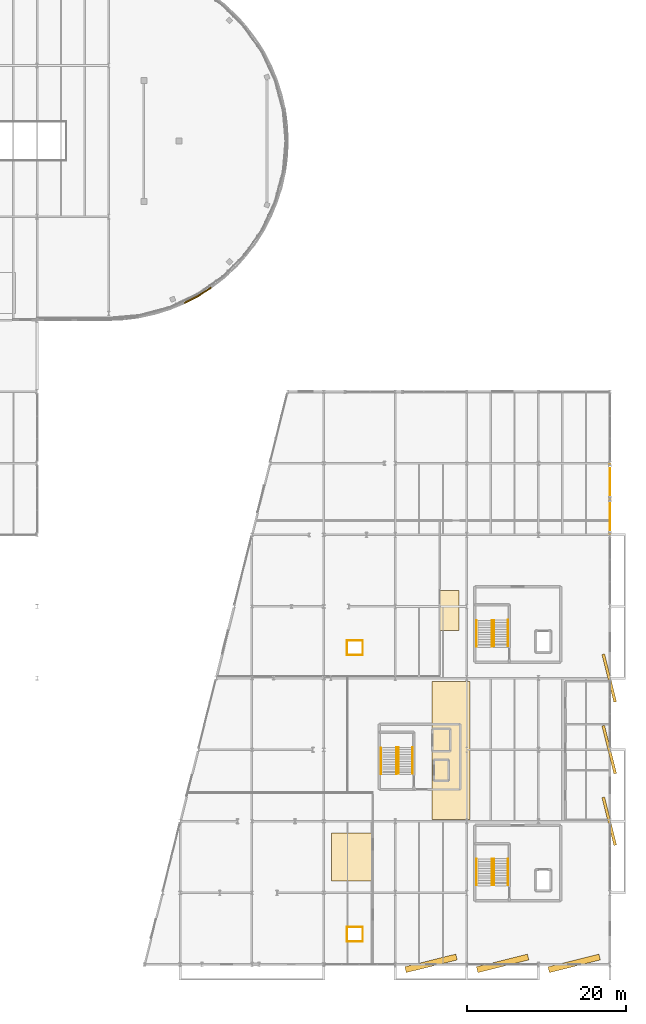
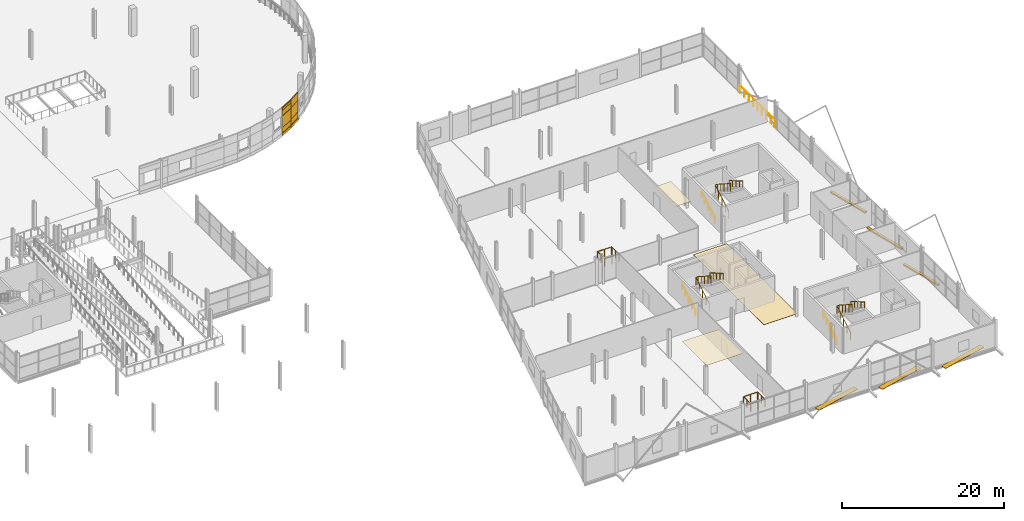
# One storey, part 100 of 103: 14 railings, 12 coverings, 6 shading devices.
"""IFC4 building model written with IfcOpenShell, lengths in metres."""

from ifc_helpers import new_model, si_unit, direction, frame, origin, origin_2d, place, context, subcontext, project, spatial, polyline, rectangle, circle, outline, extrude, material, layer, layer_set, type_object, element, save


model = new_model("IFC4")

# Units and contexts
model_context = context("Model", 3, precision=1e-05, world=origin(), true_north=direction((0.0, 1.0)))
body_context = subcontext(model_context, "Body", "Model", "MODEL_VIEW")
ifc_project = project(units=[si_unit("LENGTHUNIT", "METRE"), si_unit("AREAUNIT", "SQUARE_METRE"), si_unit("VOLUMEUNIT", "CUBIC_METRE"), si_unit("PLANEANGLEUNIT", "RADIAN"), si_unit("MASSUNIT", "GRAM", prefix="KILO")], contexts=[model_context])

# Site, building, storey
site_placement = place(None, origin())
site = spatial("IfcSite", under=ifc_project, at=site_placement, CompositionType="ELEMENT")
building_placement = place(site_placement, origin())
building = spatial("IfcBuilding", under=site, at=building_placement, Name="Deido Ridge Mobility Hub", CompositionType="ELEMENT")
storey_placement = place(building_placement, frame((0.0, 0.0, 12.60009765625)))
storey = spatial("IfcBuildingStorey", under=building, at=storey_placement, Name="L03", CompositionType="ELEMENT", Elevation=12.60009765625)

# Coverings
ifc_material_1 = material(Name="Fired clay brick masonry", Category="masonry")
ifc_layer_1 = layer(ifc_material_1, 0.114990234375, Name="Fired clay brick masonry")
ifc_layer_set_1 = layer_set([ifc_layer_1], Name="Fired clay brick masonry")
covering_type_1 = type_object("IfcCoveringType", Name="COV-BRK-SCREEN-115", PredefinedType="CLADDING", material=ifc_layer_set_1)
covering_1_placement = place(storey_placement, frame((127.355224609375, 83.607666015625, 0.0), z_axis=(0.0, 0.0, 1.0), x_axis=(0.887018892077, 0.461733131905, 0.0)))
element("IfcCovering", 1, at=covering_1_placement, inside=storey, type_object=covering_type_1, Name="Open brickwork spandrel course BKS1 (L03)", PredefinedType="CLADDING", context=body_context, shape_type="SweptSolid", body=[
    extrude(rectangle(XDim=1.9619140625, YDim=0.125, at=origin_2d()), origin(), (0.0, 0.0, 1.0), 1.25),
])
covering_2_placement = place(storey_placement, frame((127.367919921875, 83.583251953125, 0.0), z_axis=(0.0, 0.0, 1.0), x_axis=(0.887018892077, 0.461733131905, 0.0)))
element("IfcCovering", 2, at=covering_2_placement, inside=storey, type_object=covering_type_1, Name="Raised brick relief belt BKS1 (L03)", PredefinedType="CLADDING", context=body_context, shape_type="SweptSolid", body=[
    extrude(rectangle(XDim=1.9619140625, YDim=0.179931640625, at=origin_2d()), origin(), (0.0, 0.0, 1.0), 0.39990234375),
])
covering_3_placement = place(storey_placement, frame((127.355224609375, 83.607666015625, 3.0), z_axis=(0.0, 0.0, 1.0), x_axis=(0.887018892077, 0.461733131905, 0.0)))
element("IfcCovering", 3, at=covering_3_placement, inside=storey, type_object=covering_type_1, Name="Open brickwork lintel course BKS1 (L03)", PredefinedType="CLADDING", context=body_context, shape_type="SweptSolid", body=[
    extrude(rectangle(XDim=1.9619140625, YDim=0.125, at=origin_2d()), origin(), (0.0, 0.0, 1.0), 1.199951171875),
])
covering_4_placement = place(storey_placement, frame((127.367919921875, 83.583251953125, 3.83984375), z_axis=(0.0, 0.0, 1.0), x_axis=(0.887018892077, 0.461733131905, 0.0)))
element("IfcCovering", 4, at=covering_4_placement, inside=storey, type_object=covering_type_1, Name="Raised brick relief cornice BKS1 (L03)", PredefinedType="CLADDING", context=body_context, shape_type="SweptSolid", body=[
    extrude(rectangle(XDim=1.9619140625, YDim=0.179931640625, at=origin_2d()), origin(), (0.0, 0.0, 1.0), 0.360107421875),
])
covering_5_placement = place(storey_placement, frame((127.367919921875, 83.583251953125, 1.25), z_axis=(0.0, 0.0, 1.0), x_axis=(0.887018892077, 0.461733131905, 0.0)))
element("IfcCovering", 5, at=covering_5_placement, inside=storey, type_object=covering_type_1, Name="Curved raised brickwork pier BKS1 (L03)", PredefinedType="CLADDING", context=body_context, shape_type="SweptSolid", body=[
    extrude(rectangle(XDim=1.9619140625, YDim=0.179931640625, at=origin_2d()), origin(), (0.0, 0.0, 1.0), 1.75),
])
covering_6_placement = place(storey_placement, frame((129.049560546875, 84.5859375, 0.0), z_axis=(0.0, 0.0, 1.0), x_axis=(0.843382068037, 0.537314328223, 0.0)))
element("IfcCovering", 6, at=covering_6_placement, inside=storey, type_object=covering_type_1, Name="Open brickwork spandrel course BKS1 (L03)", PredefinedType="CLADDING", context=body_context, shape_type="SweptSolid", body=[
    extrude(rectangle(XDim=1.9619140625, YDim=0.125, at=origin_2d()), origin(), (0.0, 0.0, 1.0), 1.25),
])
covering_7_placement = place(storey_placement, frame((129.064208984375, 84.562744140625, 0.0), z_axis=(0.0, 0.0, 1.0), x_axis=(0.843382068037, 0.537314328223, 0.0)))
element("IfcCovering", 7, at=covering_7_placement, inside=storey, type_object=covering_type_1, Name="Raised brick relief belt BKS1 (L03)", PredefinedType="CLADDING", context=body_context, shape_type="SweptSolid", body=[
    extrude(rectangle(XDim=1.9619140625, YDim=0.179931640625, at=origin_2d()), origin(), (0.0, 0.0, 1.0), 0.39990234375),
])
covering_8_placement = place(storey_placement, frame((129.049560546875, 84.5859375, 3.0), z_axis=(0.0, 0.0, 1.0), x_axis=(0.843382068037, 0.537314328223, 0.0)))
element("IfcCovering", 8, at=covering_8_placement, inside=storey, type_object=covering_type_1, Name="Open brickwork lintel course BKS1 (L03)", PredefinedType="CLADDING", context=body_context, shape_type="SweptSolid", body=[
    extrude(rectangle(XDim=1.9619140625, YDim=0.125, at=origin_2d()), origin(), (0.0, 0.0, 1.0), 1.199951171875),
])
covering_9_placement = place(storey_placement, frame((129.049560546875, 84.5859375, 1.25), z_axis=(0.0, 0.0, 1.0), x_axis=(0.843382068037, 0.537314328223, 0.0)))
element("IfcCovering", 9, at=covering_9_placement, inside=storey, type_object=covering_type_1, Name="Curved raised brickwork pier BKS1 (L03)", PredefinedType="CLADDING", context=body_context, shape_type="SweptSolid", body=[
    extrude(rectangle(XDim=1.9619140625, YDim=0.125, at=origin_2d()), origin(), (0.0, 0.0, 1.0), 1.75),
])
ifc_material_2 = material(Name="Powder-coated aluminium cladding EN AW-3003", Category="aluminium")
ifc_layer_2 = layer(ifc_material_2, 0.02001953125, Name="Powder-coated aluminium cladding EN AW-3003")
ifc_layer_set_2 = layer_set([ifc_layer_2], Name="Powder-coated aluminium cladding EN AW-3003")
covering_type_2 = type_object("IfcCoveringType", Name="COV-CEIL-ALU-20", PredefinedType="CEILING", material=ifc_layer_set_2)
covering_10_placement = place(storey_placement, frame((0.0, 0.0, 2.949951171875)))
element("IfcCovering", 10, at=covering_10_placement, inside=storey, type_object=covering_type_2, Name="Acoustic suspended ceiling CL1 (L03)", PredefinedType="CEILING", context=body_context, shape_type="SweptSolid", body=[
    extrude(outline(polyline([(145.0, 10.5), (150.199951171875, 10.5), (150.199951171875, 16.5), (145.0, 16.5), (145.0, 10.5)])), origin(), (0.0, 0.0, 1.0), 0.02001953125),
])
covering_11_placement = place(storey_placement, frame((0.0, 0.0, 2.949951171875)))
element("IfcCovering", 11, at=covering_11_placement, inside=storey, type_object=covering_type_2, Name="Corridor acoustic ceiling CL1 (L03)", PredefinedType="CEILING", context=body_context, shape_type="SweptSolid", body=[
    extrude(outline(polyline([(158.60009765625, 42.0), (161.0, 42.0), (161.0, 47.0), (158.60009765625, 47.0), (158.60009765625, 42.0)])), origin(), (0.0, 0.0, 1.0), 0.02001953125),
])
ifc_material_3 = material(Name="Epoxy terrazzo floor finish")
ifc_layer_3 = layer(ifc_material_3, 0.02001953125, Name="Epoxy terrazzo floor finish")
ifc_layer_set_3 = layer_set([ifc_layer_3], Name="Epoxy terrazzo floor finish")
covering_type_3 = type_object("IfcCoveringType", Name="COV-FLR-TER-20", PredefinedType="FLOORING", material=ifc_layer_set_3)
covering_12_placement = place(storey_placement, origin())
element("IfcCovering", 12, at=covering_12_placement, inside=storey, type_object=covering_type_3, Name="Epoxy terrazzo corridor flooring FC1 (L03)", PredefinedType="FLOORING", context=body_context, shape_type="SweptSolid", body=[
    extrude(outline(polyline([(157.60009765625, 18.199951171875), (162.39990234375, 18.199951171875), (162.39990234375, 35.60009765625), (157.60009765625, 35.60009765625), (157.60009765625, 18.199951171875)])), origin(), (0.0, 0.0, 1.0), 0.02001953125),
])

# Railings
ifc_material_4 = material(Name="Galvanised steel work", Category="steel")
railing_type_1 = type_object("IfcRailingType", Name="RL-GRD-EXT-1150", PredefinedType="GUARDRAIL", material=ifc_material_4)
railing_1_placement = place(storey_placement, frame((180.0, 54.14990234375, 0.0)))
element("IfcRailing", 13, at=railing_1_placement, inside=storey, type_object=railing_type_1, Name="Braced bay perimeter guard (L03)", PredefinedType="GUARDRAIL", context=body_context, shape_type="SweptSolid", body=[
    extrude(circle(Radius=0.02392578125, at=origin_2d()), frame((0.0, 0.0, 1.1259765625), z_axis=(0.0, 1.0, 0.0), x_axis=(-1.0, 0.0, 0.0)), (0.0, 0.0, 1.0), 8.7001953125),
    extrude(circle(Radius=0.02099609375, at=origin_2d()), origin(), (0.0, 0.0, 1.0), 1.101806640625),
    extrude(circle(Radius=0.02099609375, at=origin_2d()), frame((0.0, 1.08740234375, 0.0)), (0.0, 0.0, 1.0), 1.101806640625),
    extrude(circle(Radius=0.02099609375, at=origin_2d()), frame((0.0, 2.175048828125, 0.0)), (0.0, 0.0, 1.0), 1.101806640625),
    extrude(circle(Radius=0.02099609375, at=origin_2d()), frame((0.0, 3.2626953125, 0.0)), (0.0, 0.0, 1.0), 1.101806640625),
    extrude(circle(Radius=0.02099609375, at=origin_2d()), frame((0.0, 4.35009765625, 0.0)), (0.0, 0.0, 1.0), 1.101806640625),
    extrude(circle(Radius=0.02099609375, at=origin_2d()), frame((0.0, 5.4375, 0.0)), (0.0, 0.0, 1.0), 1.101806640625),
    extrude(circle(Radius=0.02099609375, at=origin_2d()), frame((0.0, 6.525146484375, 0.0)), (0.0, 0.0, 1.0), 1.101806640625),
    extrude(circle(Radius=0.02099609375, at=origin_2d()), frame((0.0, 7.61279296875, 0.0)), (0.0, 0.0, 1.0), 1.101806640625),
    extrude(circle(Radius=0.02099609375, at=origin_2d()), frame((0.0, 8.7001953125, 0.0)), (0.0, 0.0, 1.0), 1.101806640625),
])
railing_2_placement = place(storey_placement, frame((146.925048828125, 2.89990234375, 0.0)))
element("IfcRailing", 14, at=railing_2_placement, inside=storey, type_object=railing_type_1, Name="Service riser shaft guard (L03) A", PredefinedType="GUARDRAIL", context=body_context, shape_type="SweptSolid", body=[
    extrude(circle(Radius=0.02392578125, at=origin_2d()), frame((0.0, 0.0, 1.1259765625), z_axis=(1.0, 0.0, 0.0), x_axis=(0.0, 1.0, 0.0)), (0.0, 0.0, 1.0), 2.0),
    extrude(circle(Radius=0.02392578125, at=origin_2d()), frame((2.0, 0.0, 1.1259765625), z_axis=(0.0, 1.0, 0.0), x_axis=(-1.0, 0.0, 0.0)), (0.0, 0.0, 1.0), 1.739990234375),
    extrude(circle(Radius=0.02099609375, at=origin_2d()), origin(), (0.0, 0.0, 1.0), 1.101806640625),
    extrude(circle(Radius=0.02099609375, at=origin_2d()), frame((1.0, 0.0, 0.0)), (0.0, 0.0, 1.0), 1.101806640625),
    extrude(circle(Radius=0.02099609375, at=origin_2d()), frame((2.0, 0.0, 0.0)), (0.0, 0.0, 1.0), 1.101806640625),
    extrude(circle(Radius=0.02099609375, at=origin_2d()), frame((2.0, 0.8701171875, 0.0)), (0.0, 0.0, 1.0), 1.101806640625),
    extrude(circle(Radius=0.02099609375, at=origin_2d()), frame((2.0, 1.739990234375, 0.0)), (0.0, 0.0, 1.0), 1.101806640625),
])
railing_3_placement = place(storey_placement, frame((148.925048828125, 4.699951171875, 0.0)))
element("IfcRailing", 15, at=railing_3_placement, inside=storey, type_object=railing_type_1, Name="Service riser shaft guard (L03) B", PredefinedType="GUARDRAIL", context=body_context, shape_type="SweptSolid", body=[
    extrude(circle(Radius=0.02392578125, at=origin_2d()), frame((0.0, 0.0, 1.1259765625), z_axis=(-1.0, 0.0, 0.0), x_axis=(0.0, -1.0, 0.0)), (0.0, 0.0, 1.0), 2.0),
    extrude(circle(Radius=0.02392578125, at=origin_2d()), frame((-2.0, 0.0, 1.1259765625), z_axis=(0.0, -1.0, 0.0), x_axis=(1.0, 0.0, 0.0)), (0.0, 0.0, 1.0), 1.739990234375),
    extrude(circle(Radius=0.02099609375, at=origin_2d()), origin(), (0.0, 0.0, 1.0), 1.101806640625),
    extrude(circle(Radius=0.02099609375, at=origin_2d()), frame((-1.0, 0.0, 0.0)), (0.0, 0.0, 1.0), 1.101806640625),
    extrude(circle(Radius=0.02099609375, at=origin_2d()), frame((-2.0, 0.0, 0.0)), (0.0, 0.0, 1.0), 1.101806640625),
    extrude(circle(Radius=0.02099609375, at=origin_2d()), frame((-2.0, -0.8701171875, 0.0)), (0.0, 0.0, 1.0), 1.101806640625),
    extrude(circle(Radius=0.02099609375, at=origin_2d()), frame((-2.0, -1.739990234375, 0.0)), (0.0, 0.0, 1.0), 1.101806640625),
])
railing_4_placement = place(storey_placement, frame((146.925048828125, 38.89990234375, 0.0)))
element("IfcRailing", 16, at=railing_4_placement, inside=storey, type_object=railing_type_1, Name="Service riser shaft guard (L03) A", PredefinedType="GUARDRAIL", context=body_context, shape_type="SweptSolid", body=[
    extrude(circle(Radius=0.02392578125, at=origin_2d()), frame((0.0, 0.0, 1.1259765625), z_axis=(1.0, 0.0, 0.0), x_axis=(0.0, 1.0, 0.0)), (0.0, 0.0, 1.0), 2.0),
    extrude(circle(Radius=0.02392578125, at=origin_2d()), frame((2.0, 0.0, 1.1259765625), z_axis=(0.0, 1.0, 0.0), x_axis=(-1.0, 0.0, 0.0)), (0.0, 0.0, 1.0), 1.739990234375),
    extrude(circle(Radius=0.02099609375, at=origin_2d()), origin(), (0.0, 0.0, 1.0), 1.101806640625),
    extrude(circle(Radius=0.02099609375, at=origin_2d()), frame((1.0, 0.0, 0.0)), (0.0, 0.0, 1.0), 1.101806640625),
    extrude(circle(Radius=0.02099609375, at=origin_2d()), frame((2.0, 0.0, 0.0)), (0.0, 0.0, 1.0), 1.101806640625),
    extrude(circle(Radius=0.02099609375, at=origin_2d()), frame((2.0, 0.8701171875, 0.0)), (0.0, 0.0, 1.0), 1.101806640625),
    extrude(circle(Radius=0.02099609375, at=origin_2d()), frame((2.0, 1.739990234375, 0.0)), (0.0, 0.0, 1.0), 1.101806640625),
])
railing_5_placement = place(storey_placement, frame((148.925048828125, 40.699951171875, 0.0)))
element("IfcRailing", 17, at=railing_5_placement, inside=storey, type_object=railing_type_1, Name="Service riser shaft guard (L03) B", PredefinedType="GUARDRAIL", context=body_context, shape_type="SweptSolid", body=[
    extrude(circle(Radius=0.02392578125, at=origin_2d()), frame((0.0, 0.0, 1.1259765625), z_axis=(-1.0, 0.0, 0.0), x_axis=(0.0, -1.0, 0.0)), (0.0, 0.0, 1.0), 2.0),
    extrude(circle(Radius=0.02392578125, at=origin_2d()), frame((-2.0, 0.0, 1.1259765625), z_axis=(0.0, -1.0, 0.0), x_axis=(1.0, 0.0, 0.0)), (0.0, 0.0, 1.0), 1.739990234375),
    extrude(circle(Radius=0.02099609375, at=origin_2d()), origin(), (0.0, 0.0, 1.0), 1.101806640625),
    extrude(circle(Radius=0.02099609375, at=origin_2d()), frame((-1.0, 0.0, 0.0)), (0.0, 0.0, 1.0), 1.101806640625),
    extrude(circle(Radius=0.02099609375, at=origin_2d()), frame((-2.0, 0.0, 0.0)), (0.0, 0.0, 1.0), 1.101806640625),
    extrude(circle(Radius=0.02099609375, at=origin_2d()), frame((-2.0, -0.8701171875, 0.0)), (0.0, 0.0, 1.0), 1.101806640625),
    extrude(circle(Radius=0.02099609375, at=origin_2d()), frame((-2.0, -1.739990234375, 0.0)), (0.0, 0.0, 1.0), 1.101806640625),
])
railing_type_2 = type_object("IfcRailingType", Name="RL-STAIR-GRD-1150", PredefinedType="GUARDRAIL", material=ifc_material_4)
railing_6_placement = place(storey_placement, frame((165.14990234375, 9.949951171875, 0.1748046875)))
element("IfcRailing", 18, at=railing_6_placement, inside=storey, type_object=railing_type_2, Name="ST1 inner well guard (L03)", PredefinedType="GUARDRAIL", context=body_context, shape_type="SweptSolid", body=[
    extrude(circle(Radius=0.02392578125, at=origin_2d()), frame((0.0, 0.0, 1.1259765625), z_axis=(0.0, 0.863776583165, 0.503874998761), x_axis=(-1.0, 0.0, 0.0)), (0.0, 0.0, 1.0), 3.820556640625),
    extrude(circle(Radius=0.02392578125, at=origin_2d()), frame((0.0, 3.300048828125, 3.05078125), z_axis=(1.0, 0.0, 0.0), x_axis=(0.0, 1.0, 0.0)), (0.0, 0.0, 1.0), 0.300048828125),
    extrude(circle(Radius=0.02392578125, at=origin_2d()), frame((0.300048828125, 3.300048828125, 3.05078125), z_axis=(0.0, -0.839905164138, 0.542733189748), x_axis=(1.0, 0.0, 0.0)), (0.0, 0.0, 1.0), 3.869384765625),
    extrude(circle(Radius=0.02099609375, at=origin_2d()), origin(), (0.0, 0.0, 1.0), 1.101806640625),
    extrude(circle(Radius=0.02099609375, at=origin_2d()), frame((0.0, 0.824951171875, 0.481201171875)), (0.0, 0.0, 1.0), 1.101806640625),
    extrude(circle(Radius=0.02099609375, at=origin_2d()), frame((0.0, 1.64990234375, 0.96240234375)), (0.0, 0.0, 1.0), 1.101806640625),
    extrude(circle(Radius=0.02099609375, at=origin_2d()), frame((0.0, 2.47509765625, 1.44384765625)), (0.0, 0.0, 1.0), 1.101806640625),
    extrude(circle(Radius=0.02099609375, at=origin_2d()), frame((0.0, 3.300048828125, 1.925048828125)), (0.0, 0.0, 1.0), 1.101806640625),
    extrude(circle(Radius=0.02099609375, at=origin_2d()), frame((0.300048828125, 3.300048828125, 1.925048828125)), (0.0, 0.0, 1.0), 1.101806640625),
    extrude(circle(Radius=0.02099609375, at=origin_2d()), frame((0.300048828125, 2.487548828125, 2.4501953125)), (0.0, 0.0, 1.0), 1.101806640625),
    extrude(circle(Radius=0.02099609375, at=origin_2d()), frame((0.300048828125, 1.675048828125, 2.97509765625)), (0.0, 0.0, 1.0), 1.101806640625),
    extrude(circle(Radius=0.02099609375, at=origin_2d()), frame((0.300048828125, 0.862548828125, 3.5)), (0.0, 0.0, 1.0), 1.101806640625),
    extrude(circle(Radius=0.02099609375, at=origin_2d()), frame((0.300048828125, 0.050048828125, 4.025146484375)), (0.0, 0.0, 1.0), 1.101806640625),
])
railing_7_placement = place(storey_placement, frame((165.14990234375, 39.949951171875, 0.1748046875)))
element("IfcRailing", 19, at=railing_7_placement, inside=storey, type_object=railing_type_2, Name="ST2 inner well guard (L03)", PredefinedType="GUARDRAIL", context=body_context, shape_type="SweptSolid", body=[
    extrude(circle(Radius=0.02392578125, at=origin_2d()), frame((0.0, 0.0, 1.1259765625), z_axis=(0.0, 0.863776583165, 0.503874998761), x_axis=(-1.0, 0.0, 0.0)), (0.0, 0.0, 1.0), 3.820556640625),
    extrude(circle(Radius=0.02392578125, at=origin_2d()), frame((0.0, 3.300048828125, 3.05078125), z_axis=(1.0, 0.0, 0.0), x_axis=(0.0, 1.0, 0.0)), (0.0, 0.0, 1.0), 0.300048828125),
    extrude(circle(Radius=0.02392578125, at=origin_2d()), frame((0.300048828125, 3.300048828125, 3.05078125), z_axis=(0.0, -0.839905164138, 0.542733189748), x_axis=(1.0, 0.0, 0.0)), (0.0, 0.0, 1.0), 3.869384765625),
    extrude(circle(Radius=0.02099609375, at=origin_2d()), origin(), (0.0, 0.0, 1.0), 1.101806640625),
    extrude(circle(Radius=0.02099609375, at=origin_2d()), frame((0.0, 0.824951171875, 0.481201171875)), (0.0, 0.0, 1.0), 1.101806640625),
    extrude(circle(Radius=0.02099609375, at=origin_2d()), frame((0.0, 1.64990234375, 0.96240234375)), (0.0, 0.0, 1.0), 1.101806640625),
    extrude(circle(Radius=0.02099609375, at=origin_2d()), frame((0.0, 2.47509765625, 1.44384765625)), (0.0, 0.0, 1.0), 1.101806640625),
    extrude(circle(Radius=0.02099609375, at=origin_2d()), frame((0.0, 3.300048828125, 1.925048828125)), (0.0, 0.0, 1.0), 1.101806640625),
    extrude(circle(Radius=0.02099609375, at=origin_2d()), frame((0.300048828125, 3.300048828125, 1.925048828125)), (0.0, 0.0, 1.0), 1.101806640625),
    extrude(circle(Radius=0.02099609375, at=origin_2d()), frame((0.300048828125, 2.487548828125, 2.4501953125)), (0.0, 0.0, 1.0), 1.101806640625),
    extrude(circle(Radius=0.02099609375, at=origin_2d()), frame((0.300048828125, 1.675048828125, 2.97509765625)), (0.0, 0.0, 1.0), 1.101806640625),
    extrude(circle(Radius=0.02099609375, at=origin_2d()), frame((0.300048828125, 0.862548828125, 3.5)), (0.0, 0.0, 1.0), 1.101806640625),
    extrude(circle(Radius=0.02099609375, at=origin_2d()), frame((0.300048828125, 0.050048828125, 4.025146484375)), (0.0, 0.0, 1.0), 1.101806640625),
])
railing_8_placement = place(storey_placement, frame((153.14990234375, 23.949951171875, 0.1748046875)))
element("IfcRailing", 20, at=railing_8_placement, inside=storey, type_object=railing_type_2, Name="ST3 inner well guard (L03)", PredefinedType="GUARDRAIL", context=body_context, shape_type="SweptSolid", body=[
    extrude(circle(Radius=0.02392578125, at=origin_2d()), frame((0.0, 0.0, 1.1259765625), z_axis=(0.0, 0.863776583165, 0.503874998761), x_axis=(-1.0, 0.0, 0.0)), (0.0, 0.0, 1.0), 3.820556640625),
    extrude(circle(Radius=0.02392578125, at=origin_2d()), frame((0.0, 3.300048828125, 3.05078125), z_axis=(1.0, 0.0, 0.0), x_axis=(0.0, 1.0, 0.0)), (0.0, 0.0, 1.0), 0.300048828125),
    extrude(circle(Radius=0.02392578125, at=origin_2d()), frame((0.300048828125, 3.300048828125, 3.05078125), z_axis=(0.0, -0.839905164138, 0.542733189748), x_axis=(1.0, 0.0, 0.0)), (0.0, 0.0, 1.0), 3.869384765625),
    extrude(circle(Radius=0.02099609375, at=origin_2d()), origin(), (0.0, 0.0, 1.0), 1.101806640625),
    extrude(circle(Radius=0.02099609375, at=origin_2d()), frame((0.0, 0.824951171875, 0.481201171875)), (0.0, 0.0, 1.0), 1.101806640625),
    extrude(circle(Radius=0.02099609375, at=origin_2d()), frame((0.0, 1.64990234375, 0.96240234375)), (0.0, 0.0, 1.0), 1.101806640625),
    extrude(circle(Radius=0.02099609375, at=origin_2d()), frame((0.0, 2.47509765625, 1.44384765625)), (0.0, 0.0, 1.0), 1.101806640625),
    extrude(circle(Radius=0.02099609375, at=origin_2d()), frame((0.0, 3.300048828125, 1.925048828125)), (0.0, 0.0, 1.0), 1.101806640625),
    extrude(circle(Radius=0.02099609375, at=origin_2d()), frame((0.300048828125, 3.300048828125, 1.925048828125)), (0.0, 0.0, 1.0), 1.101806640625),
    extrude(circle(Radius=0.02099609375, at=origin_2d()), frame((0.300048828125, 2.487548828125, 2.4501953125)), (0.0, 0.0, 1.0), 1.101806640625),
    extrude(circle(Radius=0.02099609375, at=origin_2d()), frame((0.300048828125, 1.675048828125, 2.97509765625)), (0.0, 0.0, 1.0), 1.101806640625),
    extrude(circle(Radius=0.02099609375, at=origin_2d()), frame((0.300048828125, 0.862548828125, 3.5)), (0.0, 0.0, 1.0), 1.101806640625),
    extrude(circle(Radius=0.02099609375, at=origin_2d()), frame((0.300048828125, 0.050048828125, 4.025146484375)), (0.0, 0.0, 1.0), 1.101806640625),
])
ifc_material_5 = material(Name="Stainless steel 316", Category="steel")
railing_type_3 = type_object("IfcRailingType", Name="RL-STAIR-HND-900", PredefinedType="HANDRAIL", material=ifc_material_5)
railing_9_placement = place(storey_placement, frame((163.222412109375, 9.949951171875, 0.1748046875)))
element("IfcRailing", 21, at=railing_9_placement, inside=storey, type_object=railing_type_3, Name="ST1 flight 1 handrail (L03)", PredefinedType="HANDRAIL", context=body_context, shape_type="SweptSolid", body=[
    extrude(circle(Radius=0.02392578125, at=origin_2d()), frame((0.0, 0.0, 0.8759765625), z_axis=(0.0, 0.863776583165, 0.503874998761), x_axis=(-1.0, 0.0, 0.0)), (0.0, 0.0, 1.0), 3.820556640625),
    extrude(circle(Radius=0.02099609375, at=origin_2d()), origin(), (0.0, 0.0, 1.0), 0.851806640625),
    extrude(circle(Radius=0.02099609375, at=origin_2d()), frame((0.0, 0.824951171875, 0.481201171875)), (0.0, 0.0, 1.0), 0.851806640625),
    extrude(circle(Radius=0.02099609375, at=origin_2d()), frame((0.0, 1.64990234375, 0.96240234375)), (0.0, 0.0, 1.0), 0.851806640625),
    extrude(circle(Radius=0.02099609375, at=origin_2d()), frame((0.0, 2.47509765625, 1.44384765625)), (0.0, 0.0, 1.0), 0.851806640625),
    extrude(circle(Radius=0.02099609375, at=origin_2d()), frame((0.0, 3.300048828125, 1.925048828125)), (0.0, 0.0, 1.0), 0.851806640625),
])
railing_10_placement = place(storey_placement, frame((167.175048828125, 13.300048828125, 2.27490234375)))
element("IfcRailing", 22, at=railing_10_placement, inside=storey, type_object=railing_type_3, Name="ST1 flight 2 handrail (L03)", PredefinedType="HANDRAIL", context=body_context, shape_type="SweptSolid", body=[
    extrude(circle(Radius=0.02392578125, at=origin_2d()), frame((0.0, 0.0, 0.8759765625), z_axis=(0.0, -0.863776583165, 0.503874998761), x_axis=(1.0, 0.0, 0.0)), (0.0, 0.0, 1.0), 3.820556640625),
    extrude(circle(Radius=0.02099609375, at=origin_2d()), origin(), (0.0, 0.0, 1.0), 0.851806640625),
    extrude(circle(Radius=0.02099609375, at=origin_2d()), frame((0.0, -0.824951171875, 0.481201171875)), (0.0, 0.0, 1.0), 0.851806640625),
    extrude(circle(Radius=0.02099609375, at=origin_2d()), frame((0.0, -1.64990234375, 0.96240234375)), (0.0, 0.0, 1.0), 0.851806640625),
    extrude(circle(Radius=0.02099609375, at=origin_2d()), frame((0.0, -2.47509765625, 1.44384765625)), (0.0, 0.0, 1.0), 0.851806640625),
    extrude(circle(Radius=0.02099609375, at=origin_2d()), frame((0.0, -3.300048828125, 1.925048828125)), (0.0, 0.0, 1.0), 0.851806640625),
])
railing_11_placement = place(storey_placement, frame((163.222412109375, 39.949951171875, 0.1748046875)))
element("IfcRailing", 23, at=railing_11_placement, inside=storey, type_object=railing_type_3, Name="ST2 flight 1 handrail (L03)", PredefinedType="HANDRAIL", context=body_context, shape_type="SweptSolid", body=[
    extrude(circle(Radius=0.02392578125, at=origin_2d()), frame((0.0, 0.0, 0.8759765625), z_axis=(0.0, 0.863776583165, 0.503874998761), x_axis=(-1.0, 0.0, 0.0)), (0.0, 0.0, 1.0), 3.820556640625),
    extrude(circle(Radius=0.02099609375, at=origin_2d()), origin(), (0.0, 0.0, 1.0), 0.851806640625),
    extrude(circle(Radius=0.02099609375, at=origin_2d()), frame((0.0, 0.824951171875, 0.481201171875)), (0.0, 0.0, 1.0), 0.851806640625),
    extrude(circle(Radius=0.02099609375, at=origin_2d()), frame((0.0, 1.64990234375, 0.96240234375)), (0.0, 0.0, 1.0), 0.851806640625),
    extrude(circle(Radius=0.02099609375, at=origin_2d()), frame((0.0, 2.47509765625, 1.44384765625)), (0.0, 0.0, 1.0), 0.851806640625),
    extrude(circle(Radius=0.02099609375, at=origin_2d()), frame((0.0, 3.300048828125, 1.925048828125)), (0.0, 0.0, 1.0), 0.851806640625),
])
railing_12_placement = place(storey_placement, frame((167.175048828125, 43.300048828125, 2.27490234375)))
element("IfcRailing", 24, at=railing_12_placement, inside=storey, type_object=railing_type_3, Name="ST2 flight 2 handrail (L03)", PredefinedType="HANDRAIL", context=body_context, shape_type="SweptSolid", body=[
    extrude(circle(Radius=0.02392578125, at=origin_2d()), frame((0.0, 0.0, 0.8759765625), z_axis=(0.0, -0.863776583165, 0.503874998761), x_axis=(1.0, 0.0, 0.0)), (0.0, 0.0, 1.0), 3.820556640625),
    extrude(circle(Radius=0.02099609375, at=origin_2d()), origin(), (0.0, 0.0, 1.0), 0.851806640625),
    extrude(circle(Radius=0.02099609375, at=origin_2d()), frame((0.0, -0.824951171875, 0.481201171875)), (0.0, 0.0, 1.0), 0.851806640625),
    extrude(circle(Radius=0.02099609375, at=origin_2d()), frame((0.0, -1.64990234375, 0.96240234375)), (0.0, 0.0, 1.0), 0.851806640625),
    extrude(circle(Radius=0.02099609375, at=origin_2d()), frame((0.0, -2.47509765625, 1.44384765625)), (0.0, 0.0, 1.0), 0.851806640625),
    extrude(circle(Radius=0.02099609375, at=origin_2d()), frame((0.0, -3.300048828125, 1.925048828125)), (0.0, 0.0, 1.0), 0.851806640625),
])
railing_13_placement = place(storey_placement, frame((151.2099609375, 23.949951171875, 0.1748046875)))
element("IfcRailing", 25, at=railing_13_placement, inside=storey, type_object=railing_type_3, Name="ST3 flight 1 handrail (L03)", PredefinedType="HANDRAIL", context=body_context, shape_type="SweptSolid", body=[
    extrude(circle(Radius=0.02392578125, at=origin_2d()), frame((0.0, 0.0, 0.8759765625), z_axis=(0.0, 0.863776583165, 0.503874998761), x_axis=(-1.0, 0.0, 0.0)), (0.0, 0.0, 1.0), 3.820556640625),
    extrude(circle(Radius=0.02099609375, at=origin_2d()), origin(), (0.0, 0.0, 1.0), 0.851806640625),
    extrude(circle(Radius=0.02099609375, at=origin_2d()), frame((0.0, 0.824951171875, 0.481201171875)), (0.0, 0.0, 1.0), 0.851806640625),
    extrude(circle(Radius=0.02099609375, at=origin_2d()), frame((0.0, 1.64990234375, 0.96240234375)), (0.0, 0.0, 1.0), 0.851806640625),
    extrude(circle(Radius=0.02099609375, at=origin_2d()), frame((0.0, 2.47509765625, 1.44384765625)), (0.0, 0.0, 1.0), 0.851806640625),
    extrude(circle(Radius=0.02099609375, at=origin_2d()), frame((0.0, 3.300048828125, 1.925048828125)), (0.0, 0.0, 1.0), 0.851806640625),
])
railing_14_placement = place(storey_placement, frame((155.175048828125, 27.300048828125, 2.27490234375)))
element("IfcRailing", 26, at=railing_14_placement, inside=storey, type_object=railing_type_3, Name="ST3 flight 2 handrail (L03)", PredefinedType="HANDRAIL", context=body_context, shape_type="SweptSolid", body=[
    extrude(circle(Radius=0.02392578125, at=origin_2d()), frame((0.0, 0.0, 0.8759765625), z_axis=(0.0, -0.863776583165, 0.503874998761), x_axis=(1.0, 0.0, 0.0)), (0.0, 0.0, 1.0), 3.820556640625),
    extrude(circle(Radius=0.02099609375, at=origin_2d()), origin(), (0.0, 0.0, 1.0), 0.851806640625),
    extrude(circle(Radius=0.02099609375, at=origin_2d()), frame((0.0, -0.824951171875, 0.481201171875)), (0.0, 0.0, 1.0), 0.851806640625),
    extrude(circle(Radius=0.02099609375, at=origin_2d()), frame((0.0, -1.64990234375, 0.96240234375)), (0.0, 0.0, 1.0), 0.851806640625),
    extrude(circle(Radius=0.02099609375, at=origin_2d()), frame((0.0, -2.47509765625, 1.44384765625)), (0.0, 0.0, 1.0), 0.851806640625),
    extrude(circle(Radius=0.02099609375, at=origin_2d()), frame((0.0, -3.300048828125, 1.925048828125)), (0.0, 0.0, 1.0), 0.851806640625),
])

# Shading devices
ifc_material_6 = material(Name="Anodised aluminium EN AW-6063 T6", Category="aluminium")
ifc_layer_4 = layer(ifc_material_6, 0.219970703125, Name="Anodised aluminium EN AW-6063 T6")
ifc_layer_set_4 = layer_set([ifc_layer_4], Name="Anodised aluminium EN AW-6063 T6")
shading_device_type_1 = type_object("IfcShadingDeviceType", Name="SHD-JALOUSIE-350", PredefinedType="JALOUSIE", material=ifc_layer_set_4)
for number, where, z_axis, x_axis, name in (
    (27, (179.89990234375, 36.0, -0.2099609375), (0.0, 0.0, 1.0), (-0.2419218956, 0.970295726276, 0.0), "Angled solar jalousie screen SD1"),
    (28, (179.89990234375, 27.0, -0.2099609375), (0.0, 0.0, 1.0), (-0.2419218956, 0.970295726276, 0.0), "Angled solar jalousie screen SD1"),
    (29, (179.89990234375, 18.0, -0.2099609375), (0.0, 0.0, 1.0), (-0.2419218956, 0.970295726276, 0.0), "Angled solar jalousie screen SD1"),
):
    element("IfcShadingDevice", number, at=place(storey_placement, frame(where, z_axis=z_axis, x_axis=x_axis)), inside=storey, type_object=shading_device_type_1, Name=name, PredefinedType="JALOUSIE", context=body_context, shape_type="SweptSolid", body=[
        extrude(rectangle(XDim=6.199951171875, YDim=0.35009765625, at=origin_2d()), origin(), (0.0, 0.0, 1.0), 0.219970703125),
    ])
ifc_layer_5 = layer(ifc_material_2, 0.06005859375, Name="Powder-coated aluminium cladding EN AW-3003")
ifc_layer_set_5 = layer_set([ifc_layer_5], Name="Powder-coated aluminium cladding EN AW-3003")
shading_device_type_2 = type_object("IfcShadingDeviceType", Name="SHD-SUNSHADE-750", PredefinedType="USERDEFINED", material=ifc_layer_set_5)
for number, where, z_axis, x_axis, name in (
    (30, (157.5, 0.139892578125, -0.130126953125), (0.0, 0.0, 1.0), (0.970295726276, 0.2419218956, 0.0), "Angled monsoon street sunshade SD2"),
    (31, (166.5, 0.139892578125, -0.130126953125), (0.0, 0.0, 1.0), (0.970295726276, 0.2419218956, 0.0), "Angled monsoon street sunshade SD2"),
    (32, (175.5, 0.139892578125, -0.130126953125), (0.0, 0.0, 1.0), (0.970295726276, 0.2419218956, 0.0), "Angled monsoon street sunshade SD2"),
):
    element("IfcShadingDevice", number, at=place(storey_placement, frame(where, z_axis=z_axis, x_axis=x_axis)), inside=storey, type_object=shading_device_type_2, Name=name, ObjectType="SUNSHADE", PredefinedType="USERDEFINED", context=body_context, shape_type="SweptSolid", body=[
        extrude(rectangle(XDim=6.60009765625, YDim=0.75, at=origin_2d()), origin(), (0.0, 0.0, 1.0), 0.06005859375),
    ])

save(model, "model.ifc")
